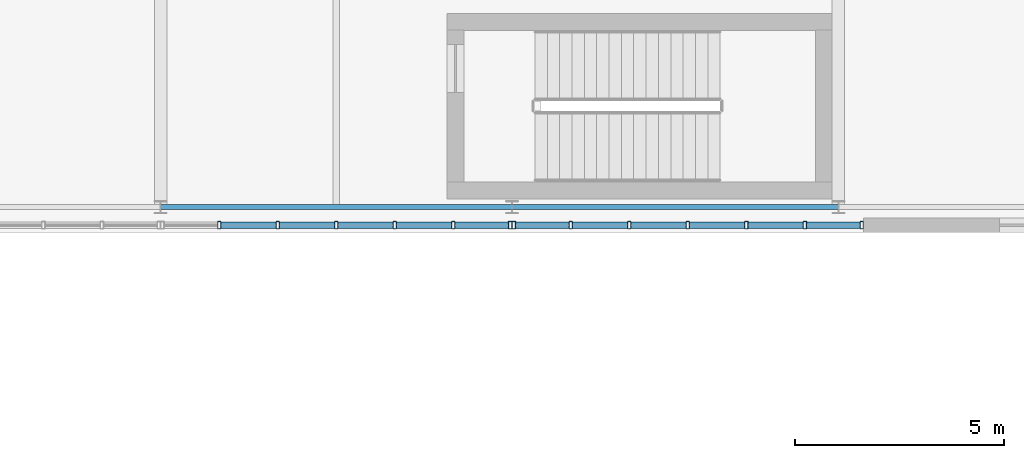
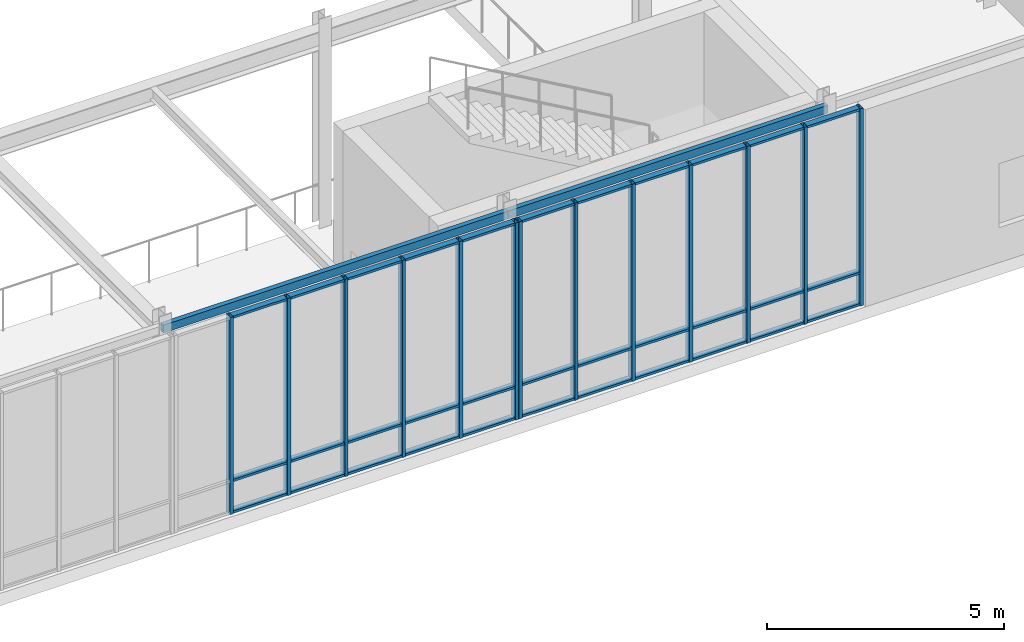
# One storey, part 85 of 139: 46 members, 2 beams, 2 elements without a shape of their own.
"""IFC4 building model written with IfcOpenShell, lengths in metres."""

from ifc_helpers import new_model, si_unit, direction, frame, origin, origin_2d, place, context, subcontext, project, spatial, hollow_rectangle, extrude, material, layer, layer_set, material_profile, profile_set, type_object, element, aggregate, save


model = new_model("IFC4")

# Units and contexts
model_context = context("Model", 3, precision=1e-05, world=origin(), true_north=direction((0.0, 1.0)))
body_context = subcontext(model_context, "Body", "Model", "MODEL_VIEW")
ifc_project = project(units=[si_unit("LENGTHUNIT", "METRE"), si_unit("AREAUNIT", "SQUARE_METRE"), si_unit("VOLUMEUNIT", "CUBIC_METRE"), si_unit("PLANEANGLEUNIT", "RADIAN"), si_unit("MASSUNIT", "GRAM", prefix="KILO")], contexts=[model_context])

# Site, building, storey
site_placement = place(None, origin())
site = spatial("IfcSite", under=ifc_project, at=site_placement, CompositionType="ELEMENT")
building_placement = place(site_placement, origin())
building = spatial("IfcBuilding", under=site, at=building_placement, Name="Zayran Congress Hotel", CompositionType="ELEMENT")
storey_placement = place(building_placement, frame((0.0, 0.0, 5.39990234375)))
storey = spatial("IfcBuildingStorey", under=building, at=storey_placement, Name="L01", CompositionType="ELEMENT", Elevation=5.39990234375)

# Beams
ifc_material_1 = material(Name="Steel S355", Category="steel")
ifc_material_profile_1 = material_profile(ifc_material_1, hollow_rectangle(XDim=0.1201171875, YDim=0.199951171875, WallThickness=0.008056640625, at=origin_2d()), Name="RHS 200x120x8")
ifc_profile_set_1 = profile_set([ifc_material_profile_1], Name="Steel S355")
beam_type = type_object("IfcBeamType", Name="TP-SP-02", PredefinedType="SPANDREL", material=ifc_profile_set_1)
beam_1_placement = place(storey_placement, frame((168.0, 85.0, 4.97998046875), z_axis=(1.0, 0.0, 0.0), x_axis=(0.0, 1.0, 0.0)))
element("IfcBeam", 1, at=beam_1_placement, inside=storey, type_object=beam_type, Name="BM-V2-L01-0956", PredefinedType="SPANDREL", context=body_context, shape_type="SweptSolid", body=[
    extrude(hollow_rectangle(XDim=0.1201171875, YDim=0.199951171875, WallThickness=0.008056640625, at=origin_2d()), origin(), (0.0, 0.0, 1.0), 8.39990234375),
])
beam_2_placement = place(storey_placement, frame((176.39990234375, 85.0, 4.97998046875), z_axis=(1.0, 0.0, 0.0), x_axis=(0.0, 1.0, 0.0)))
element("IfcBeam", 2, at=beam_2_placement, inside=storey, type_object=beam_type, Name="BM-V2-L01-0957", PredefinedType="SPANDREL", context=body_context, shape_type="SweptSolid", body=[
    extrude(hollow_rectangle(XDim=0.1201171875, YDim=0.199951171875, WallThickness=0.008056640625, at=origin_2d()), origin(), (0.0, 0.0, 1.0), 7.800048828125),
])

# Curtain wall, members
ifc_material_2 = material(Name="Anodised aluminium and low-E insulated glass", Category="aluminium")
ifc_layer_1 = layer(ifc_material_2, 0.179931640625)
ifc_layer_set_1 = layer_set([ifc_layer_1], Name="Anodised aluminium and low-E insulated glass")
curtain_wall_type_1 = type_object("IfcCurtainWallType", Name="CW-V2S-L01-CW-V22-8390-5080", PredefinedType="USERDEFINED", material=ifc_layer_set_1)
curtain_wall_1_placement = place(storey_placement, origin())
curtain_wall_1 = element("IfcCurtainWall", 3, at=curtain_wall_1_placement, inside=storey, type_object=curtain_wall_type_1, Name="CW-V2S-L01-3", ObjectType="CURTAIN WALL", PredefinedType="USERDEFINED")
ifc_material_3 = material(Name="Anodised aluminium framing", Category="aluminium")
ifc_material_profile_2 = material_profile(ifc_material_3, hollow_rectangle(XDim=0.080078125, YDim=0.179931640625, WallThickness=0.0048828125, at=origin_2d()), Name="RHS 180x80x5")
ifc_profile_set_2 = profile_set([ifc_material_profile_2], Name="Anodised aluminium framing")
member_type_1 = type_object("IfcMemberType", Name="TP-CWM-01", PredefinedType="MULLION", material=ifc_profile_set_2)
member_1_placement = place(storey_placement, frame((169.4033203125, 84.570068359375, 0.0), z_axis=(0.0, 0.0, 1.0), x_axis=(1.0, 0.0, 0.0)))
member_1 = element("IfcMember", 4, at=member_1_placement, type_object=member_type_1, Name="CW-V2S-L01-3-M01", PredefinedType="MULLION", context=body_context, shape_type="SweptSolid", body=[
    extrude(hollow_rectangle(XDim=0.080078125, YDim=0.179931640625, WallThickness=0.0048828125, at=origin_2d()), origin(), (0.0, 0.0, 1.0), 5.080078125),
])
member_2_placement = place(storey_placement, frame((170.8017578125, 84.570068359375, 0.0), z_axis=(0.0, 0.0, 1.0), x_axis=(1.0, 0.0, 0.0)))
member_2 = element("IfcMember", 5, at=member_2_placement, type_object=member_type_1, Name="CW-V2S-L01-3-M02", PredefinedType="MULLION", context=body_context, shape_type="SweptSolid", body=[
    extrude(hollow_rectangle(XDim=0.080078125, YDim=0.179931640625, WallThickness=0.0048828125, at=origin_2d()), origin(), (0.0, 0.0, 1.0), 5.080078125),
])
member_3_placement = place(storey_placement, frame((172.199951171875, 84.570068359375, 0.0), z_axis=(0.0, 0.0, 1.0), x_axis=(1.0, 0.0, 0.0)))
member_3 = element("IfcMember", 6, at=member_3_placement, type_object=member_type_1, Name="CW-V2S-L01-3-M03", PredefinedType="MULLION", context=body_context, shape_type="SweptSolid", body=[
    extrude(hollow_rectangle(XDim=0.080078125, YDim=0.179931640625, WallThickness=0.0048828125, at=origin_2d()), origin(), (0.0, 0.0, 1.0), 5.080078125),
])
member_4_placement = place(storey_placement, frame((173.598388671875, 84.570068359375, 0.0), z_axis=(0.0, 0.0, 1.0), x_axis=(1.0, 0.0, 0.0)))
member_4 = element("IfcMember", 7, at=member_4_placement, type_object=member_type_1, Name="CW-V2S-L01-3-M04", PredefinedType="MULLION", context=body_context, shape_type="SweptSolid", body=[
    extrude(hollow_rectangle(XDim=0.080078125, YDim=0.179931640625, WallThickness=0.0048828125, at=origin_2d()), origin(), (0.0, 0.0, 1.0), 5.080078125),
])
member_5_placement = place(storey_placement, frame((174.99658203125, 84.570068359375, 0.0), z_axis=(0.0, 0.0, 1.0), x_axis=(1.0, 0.0, 0.0)))
member_5 = element("IfcMember", 8, at=member_5_placement, type_object=member_type_1, Name="CW-V2S-L01-3-M05", PredefinedType="MULLION", context=body_context, shape_type="SweptSolid", body=[
    extrude(hollow_rectangle(XDim=0.080078125, YDim=0.179931640625, WallThickness=0.0048828125, at=origin_2d()), origin(), (0.0, 0.0, 1.0), 5.080078125),
])
member_6_placement = place(storey_placement, frame((176.35498046875, 84.570068359375, 0.0), z_axis=(0.0, 0.0, 1.0), x_axis=(1.0, 0.0, 0.0)))
member_6 = element("IfcMember", 9, at=member_6_placement, type_object=member_type_1, Name="CW-V2S-L01-3-M06", PredefinedType="MULLION", context=body_context, shape_type="SweptSolid", body=[
    extrude(hollow_rectangle(XDim=0.080078125, YDim=0.179931640625, WallThickness=0.0048828125, at=origin_2d()), origin(), (0.0, 0.0, 1.0), 5.080078125),
])

ifc_layer_2 = layer(ifc_material_2, 0.179931640625)
ifc_layer_set_2 = layer_set([ifc_layer_2], Name="Anodised aluminium and low-E insulated glass")
curtain_wall_type_2 = type_object("IfcCurtainWallType", Name="CW-V2S-L01-CW-V21-8395-5080", PredefinedType="USERDEFINED", material=ifc_layer_set_2)
curtain_wall_2_placement = place(storey_placement, origin())
curtain_wall_2 = element("IfcCurtainWall", 10, at=curtain_wall_2_placement, inside=storey, type_object=curtain_wall_type_2, Name="CW-V2S-L01-4", ObjectType="CURTAIN WALL", PredefinedType="USERDEFINED")
member_7_placement = place(storey_placement, frame((176.445068359375, 84.570068359375, 0.0), z_axis=(0.0, 0.0, 1.0), x_axis=(1.0, 0.0, 0.0)))
member_7 = element("IfcMember", 11, at=member_7_placement, type_object=member_type_1, Name="CW-V2S-L01-4-M00", PredefinedType="MULLION", context=body_context, shape_type="SweptSolid", body=[
    extrude(hollow_rectangle(XDim=0.080078125, YDim=0.179931640625, WallThickness=0.0048828125, at=origin_2d()), origin(), (0.0, 0.0, 1.0), 5.080078125),
])
member_8_placement = place(storey_placement, frame((177.80419921875, 84.570068359375, 0.0), z_axis=(0.0, 0.0, 1.0), x_axis=(1.0, 0.0, 0.0)))
member_8 = element("IfcMember", 12, at=member_8_placement, type_object=member_type_1, Name="CW-V2S-L01-4-M01", PredefinedType="MULLION", context=body_context, shape_type="SweptSolid", body=[
    extrude(hollow_rectangle(XDim=0.080078125, YDim=0.179931640625, WallThickness=0.0048828125, at=origin_2d()), origin(), (0.0, 0.0, 1.0), 5.080078125),
])
member_9_placement = place(storey_placement, frame((179.203369140625, 84.570068359375, 0.0), z_axis=(0.0, 0.0, 1.0), x_axis=(1.0, 0.0, 0.0)))
member_9 = element("IfcMember", 13, at=member_9_placement, type_object=member_type_1, Name="CW-V2S-L01-4-M02", PredefinedType="MULLION", context=body_context, shape_type="SweptSolid", body=[
    extrude(hollow_rectangle(XDim=0.080078125, YDim=0.179931640625, WallThickness=0.0048828125, at=origin_2d()), origin(), (0.0, 0.0, 1.0), 5.080078125),
])
member_10_placement = place(storey_placement, frame((180.6025390625, 84.570068359375, 0.0), z_axis=(0.0, 0.0, 1.0), x_axis=(1.0, 0.0, 0.0)))
member_10 = element("IfcMember", 14, at=member_10_placement, type_object=member_type_1, Name="CW-V2S-L01-4-M03", PredefinedType="MULLION", context=body_context, shape_type="SweptSolid", body=[
    extrude(hollow_rectangle(XDim=0.080078125, YDim=0.179931640625, WallThickness=0.0048828125, at=origin_2d()), origin(), (0.0, 0.0, 1.0), 5.080078125),
])
member_11_placement = place(storey_placement, frame((182.001708984375, 84.570068359375, 0.0), z_axis=(0.0, 0.0, 1.0), x_axis=(1.0, 0.0, 0.0)))
member_11 = element("IfcMember", 15, at=member_11_placement, type_object=member_type_1, Name="CW-V2S-L01-4-M04", PredefinedType="MULLION", context=body_context, shape_type="SweptSolid", body=[
    extrude(hollow_rectangle(XDim=0.080078125, YDim=0.179931640625, WallThickness=0.0048828125, at=origin_2d()), origin(), (0.0, 0.0, 1.0), 5.080078125),
])
member_12_placement = place(storey_placement, frame((183.40087890625, 84.570068359375, 0.0), z_axis=(0.0, 0.0, 1.0), x_axis=(1.0, 0.0, 0.0)))
member_12 = element("IfcMember", 16, at=member_12_placement, type_object=member_type_1, Name="CW-V2S-L01-4-M05", PredefinedType="MULLION", context=body_context, shape_type="SweptSolid", body=[
    extrude(hollow_rectangle(XDim=0.080078125, YDim=0.179931640625, WallThickness=0.0048828125, at=origin_2d()), origin(), (0.0, 0.0, 1.0), 5.080078125),
])
member_13_placement = place(storey_placement, frame((184.760009765625, 84.570068359375, 0.0), z_axis=(0.0, 0.0, 1.0), x_axis=(1.0, 0.0, 0.0)))
member_13 = element("IfcMember", 17, at=member_13_placement, type_object=member_type_1, Name="CW-V2S-L01-4-M06", PredefinedType="MULLION", context=body_context, shape_type="SweptSolid", body=[
    extrude(hollow_rectangle(XDim=0.080078125, YDim=0.179931640625, WallThickness=0.0048828125, at=origin_2d()), origin(), (0.0, 0.0, 1.0), 5.080078125),
])

# Member
ifc_material_profile_3 = material_profile(ifc_material_3, hollow_rectangle(XDim=0.06005859375, YDim=0.14990234375, WallThickness=0.00390625, at=origin_2d()), Name="RHS 150x60x4")
ifc_profile_set_3 = profile_set([ifc_material_profile_3], Name="Anodised aluminium framing")
member_type_2 = type_object("IfcMemberType", Name="TP-CWT-01", PredefinedType="USERDEFINED", material=ifc_profile_set_3)
member_14_placement = place(storey_placement, frame((169.443359375, 84.570068359375, 0.030029296875), z_axis=(1.0, 0.0, 0.0), x_axis=(0.0, 0.0, 1.0)))
member_14 = element("IfcMember", 18, at=member_14_placement, type_object=member_type_2, Name="CW-V2S-L01-3-T01-0", ObjectType="TRANSOM", PredefinedType="USERDEFINED", context=body_context, shape_type="SweptSolid", body=[
    extrude(hollow_rectangle(XDim=0.06005859375, YDim=0.14990234375, WallThickness=0.00390625, at=origin_2d()), origin(), (0.0, 0.0, 1.0), 1.318359375),
])

member_15_placement = place(storey_placement, frame((169.443359375, 84.570068359375, 0.840087890625), z_axis=(1.0, 0.0, 0.0), x_axis=(0.0, 0.0, 1.0)))
member_15 = element("IfcMember", 19, at=member_15_placement, type_object=member_type_2, Name="CW-V2S-L01-3-T01-1", ObjectType="TRANSOM", PredefinedType="USERDEFINED", context=body_context, shape_type="SweptSolid", body=[
    extrude(hollow_rectangle(XDim=0.06005859375, YDim=0.14990234375, WallThickness=0.00390625, at=origin_2d()), origin(), (0.0, 0.0, 1.0), 1.318359375),
])

member_16_placement = place(storey_placement, frame((169.443359375, 84.570068359375, 5.050048828125), z_axis=(1.0, 0.0, 0.0), x_axis=(0.0, 0.0, 1.0)))
member_16 = element("IfcMember", 20, at=member_16_placement, type_object=member_type_2, Name="CW-V2S-L01-3-T01-2", ObjectType="TRANSOM", PredefinedType="USERDEFINED", context=body_context, shape_type="SweptSolid", body=[
    extrude(hollow_rectangle(XDim=0.06005859375, YDim=0.14990234375, WallThickness=0.00390625, at=origin_2d()), origin(), (0.0, 0.0, 1.0), 1.318359375),
])

member_17_placement = place(storey_placement, frame((170.841796875, 84.570068359375, 0.030029296875), z_axis=(1.0, 0.0, 0.0), x_axis=(0.0, 0.0, 1.0)))
member_17 = element("IfcMember", 21, at=member_17_placement, type_object=member_type_2, Name="CW-V2S-L01-3-T02-0", ObjectType="TRANSOM", PredefinedType="USERDEFINED", context=body_context, shape_type="SweptSolid", body=[
    extrude(hollow_rectangle(XDim=0.06005859375, YDim=0.14990234375, WallThickness=0.00390625, at=origin_2d()), origin(), (0.0, 0.0, 1.0), 1.318115234375),
])

member_18_placement = place(storey_placement, frame((170.841796875, 84.570068359375, 0.840087890625), z_axis=(1.0, 0.0, 0.0), x_axis=(0.0, 0.0, 1.0)))
member_18 = element("IfcMember", 22, at=member_18_placement, type_object=member_type_2, Name="CW-V2S-L01-3-T02-1", ObjectType="TRANSOM", PredefinedType="USERDEFINED", context=body_context, shape_type="SweptSolid", body=[
    extrude(hollow_rectangle(XDim=0.06005859375, YDim=0.14990234375, WallThickness=0.00390625, at=origin_2d()), origin(), (0.0, 0.0, 1.0), 1.318115234375),
])

member_19_placement = place(storey_placement, frame((170.841796875, 84.570068359375, 5.050048828125), z_axis=(1.0, 0.0, 0.0), x_axis=(0.0, 0.0, 1.0)))
member_19 = element("IfcMember", 23, at=member_19_placement, type_object=member_type_2, Name="CW-V2S-L01-3-T02-2", ObjectType="TRANSOM", PredefinedType="USERDEFINED", context=body_context, shape_type="SweptSolid", body=[
    extrude(hollow_rectangle(XDim=0.06005859375, YDim=0.14990234375, WallThickness=0.00390625, at=origin_2d()), origin(), (0.0, 0.0, 1.0), 1.318115234375),
])

member_20_placement = place(storey_placement, frame((172.239990234375, 84.570068359375, 0.030029296875), z_axis=(1.0, 0.0, 0.0), x_axis=(0.0, 0.0, 1.0)))
member_20 = element("IfcMember", 24, at=member_20_placement, type_object=member_type_2, Name="CW-V2S-L01-3-T03-0", ObjectType="TRANSOM", PredefinedType="USERDEFINED", context=body_context, shape_type="SweptSolid", body=[
    extrude(hollow_rectangle(XDim=0.06005859375, YDim=0.14990234375, WallThickness=0.00390625, at=origin_2d()), origin(), (0.0, 0.0, 1.0), 1.318359375),
])

member_21_placement = place(storey_placement, frame((172.239990234375, 84.570068359375, 0.840087890625), z_axis=(1.0, 0.0, 0.0), x_axis=(0.0, 0.0, 1.0)))
member_21 = element("IfcMember", 25, at=member_21_placement, type_object=member_type_2, Name="CW-V2S-L01-3-T03-1", ObjectType="TRANSOM", PredefinedType="USERDEFINED", context=body_context, shape_type="SweptSolid", body=[
    extrude(hollow_rectangle(XDim=0.06005859375, YDim=0.14990234375, WallThickness=0.00390625, at=origin_2d()), origin(), (0.0, 0.0, 1.0), 1.318359375),
])

member_22_placement = place(storey_placement, frame((172.239990234375, 84.570068359375, 5.050048828125), z_axis=(1.0, 0.0, 0.0), x_axis=(0.0, 0.0, 1.0)))
member_22 = element("IfcMember", 26, at=member_22_placement, type_object=member_type_2, Name="CW-V2S-L01-3-T03-2", ObjectType="TRANSOM", PredefinedType="USERDEFINED", context=body_context, shape_type="SweptSolid", body=[
    extrude(hollow_rectangle(XDim=0.06005859375, YDim=0.14990234375, WallThickness=0.00390625, at=origin_2d()), origin(), (0.0, 0.0, 1.0), 1.318359375),
])

member_23_placement = place(storey_placement, frame((173.63818359375, 84.570068359375, 0.030029296875), z_axis=(1.0, 0.0, 0.0), x_axis=(0.0, 0.0, 1.0)))
member_23 = element("IfcMember", 27, at=member_23_placement, type_object=member_type_2, Name="CW-V2S-L01-3-T04-0", ObjectType="TRANSOM", PredefinedType="USERDEFINED", context=body_context, shape_type="SweptSolid", body=[
    extrude(hollow_rectangle(XDim=0.06005859375, YDim=0.14990234375, WallThickness=0.00390625, at=origin_2d()), origin(), (0.0, 0.0, 1.0), 1.318603515625),
])

member_24_placement = place(storey_placement, frame((173.63818359375, 84.570068359375, 0.840087890625), z_axis=(1.0, 0.0, 0.0), x_axis=(0.0, 0.0, 1.0)))
member_24 = element("IfcMember", 28, at=member_24_placement, type_object=member_type_2, Name="CW-V2S-L01-3-T04-1", ObjectType="TRANSOM", PredefinedType="USERDEFINED", context=body_context, shape_type="SweptSolid", body=[
    extrude(hollow_rectangle(XDim=0.06005859375, YDim=0.14990234375, WallThickness=0.00390625, at=origin_2d()), origin(), (0.0, 0.0, 1.0), 1.318603515625),
])

member_25_placement = place(storey_placement, frame((173.63818359375, 84.570068359375, 5.050048828125), z_axis=(1.0, 0.0, 0.0), x_axis=(0.0, 0.0, 1.0)))
member_25 = element("IfcMember", 29, at=member_25_placement, type_object=member_type_2, Name="CW-V2S-L01-3-T04-2", ObjectType="TRANSOM", PredefinedType="USERDEFINED", context=body_context, shape_type="SweptSolid", body=[
    extrude(hollow_rectangle(XDim=0.06005859375, YDim=0.14990234375, WallThickness=0.00390625, at=origin_2d()), origin(), (0.0, 0.0, 1.0), 1.318603515625),
])

member_26_placement = place(storey_placement, frame((175.03662109375, 84.570068359375, 0.030029296875), z_axis=(1.0, 0.0, 0.0), x_axis=(0.0, 0.0, 1.0)))
member_26 = element("IfcMember", 30, at=member_26_placement, type_object=member_type_2, Name="CW-V2S-L01-3-T05-0", ObjectType="TRANSOM", PredefinedType="USERDEFINED", context=body_context, shape_type="SweptSolid", body=[
    extrude(hollow_rectangle(XDim=0.06005859375, YDim=0.14990234375, WallThickness=0.00390625, at=origin_2d()), origin(), (0.0, 0.0, 1.0), 1.2783203125),
])

member_27_placement = place(storey_placement, frame((175.03662109375, 84.570068359375, 0.840087890625), z_axis=(1.0, 0.0, 0.0), x_axis=(0.0, 0.0, 1.0)))
member_27 = element("IfcMember", 31, at=member_27_placement, type_object=member_type_2, Name="CW-V2S-L01-3-T05-1", ObjectType="TRANSOM", PredefinedType="USERDEFINED", context=body_context, shape_type="SweptSolid", body=[
    extrude(hollow_rectangle(XDim=0.06005859375, YDim=0.14990234375, WallThickness=0.00390625, at=origin_2d()), origin(), (0.0, 0.0, 1.0), 1.2783203125),
])

member_28_placement = place(storey_placement, frame((175.03662109375, 84.570068359375, 5.050048828125), z_axis=(1.0, 0.0, 0.0), x_axis=(0.0, 0.0, 1.0)))
member_28 = element("IfcMember", 32, at=member_28_placement, type_object=member_type_2, Name="CW-V2S-L01-3-T05-2", ObjectType="TRANSOM", PredefinedType="USERDEFINED", context=body_context, shape_type="SweptSolid", body=[
    extrude(hollow_rectangle(XDim=0.06005859375, YDim=0.14990234375, WallThickness=0.00390625, at=origin_2d()), origin(), (0.0, 0.0, 1.0), 1.2783203125),
])

aggregate(curtain_wall_1, [member_1, member_2, member_3, member_4, member_5, member_6, member_14, member_15, member_16, member_17, member_18, member_19, member_20, member_21, member_22, member_23, member_24, member_25, member_26, member_27, member_28])

member_29_placement = place(storey_placement, frame((176.485107421875, 84.570068359375, 0.030029296875), z_axis=(1.0, 0.0, 0.0), x_axis=(0.0, 0.0, 1.0)))
member_29 = element("IfcMember", 33, at=member_29_placement, type_object=member_type_2, Name="CW-V2S-L01-4-T00-0", ObjectType="TRANSOM", PredefinedType="USERDEFINED", context=body_context, shape_type="SweptSolid", body=[
    extrude(hollow_rectangle(XDim=0.06005859375, YDim=0.14990234375, WallThickness=0.00390625, at=origin_2d()), origin(), (0.0, 0.0, 1.0), 1.279052734375),
])

member_30_placement = place(storey_placement, frame((176.485107421875, 84.570068359375, 0.840087890625), z_axis=(1.0, 0.0, 0.0), x_axis=(0.0, 0.0, 1.0)))
member_30 = element("IfcMember", 34, at=member_30_placement, type_object=member_type_2, Name="CW-V2S-L01-4-T00-1", ObjectType="TRANSOM", PredefinedType="USERDEFINED", context=body_context, shape_type="SweptSolid", body=[
    extrude(hollow_rectangle(XDim=0.06005859375, YDim=0.14990234375, WallThickness=0.00390625, at=origin_2d()), origin(), (0.0, 0.0, 1.0), 1.279052734375),
])

member_31_placement = place(storey_placement, frame((176.485107421875, 84.570068359375, 5.050048828125), z_axis=(1.0, 0.0, 0.0), x_axis=(0.0, 0.0, 1.0)))
member_31 = element("IfcMember", 35, at=member_31_placement, type_object=member_type_2, Name="CW-V2S-L01-4-T00-2", ObjectType="TRANSOM", PredefinedType="USERDEFINED", context=body_context, shape_type="SweptSolid", body=[
    extrude(hollow_rectangle(XDim=0.06005859375, YDim=0.14990234375, WallThickness=0.00390625, at=origin_2d()), origin(), (0.0, 0.0, 1.0), 1.279052734375),
])

member_32_placement = place(storey_placement, frame((177.84423828125, 84.570068359375, 0.030029296875), z_axis=(1.0, 0.0, 0.0), x_axis=(0.0, 0.0, 1.0)))
member_32 = element("IfcMember", 36, at=member_32_placement, type_object=member_type_2, Name="CW-V2S-L01-4-T01-0", ObjectType="TRANSOM", PredefinedType="USERDEFINED", context=body_context, shape_type="SweptSolid", body=[
    extrude(hollow_rectangle(XDim=0.06005859375, YDim=0.14990234375, WallThickness=0.00390625, at=origin_2d()), origin(), (0.0, 0.0, 1.0), 1.319091796875),
])

member_33_placement = place(storey_placement, frame((177.84423828125, 84.570068359375, 0.840087890625), z_axis=(1.0, 0.0, 0.0), x_axis=(0.0, 0.0, 1.0)))
member_33 = element("IfcMember", 37, at=member_33_placement, type_object=member_type_2, Name="CW-V2S-L01-4-T01-1", ObjectType="TRANSOM", PredefinedType="USERDEFINED", context=body_context, shape_type="SweptSolid", body=[
    extrude(hollow_rectangle(XDim=0.06005859375, YDim=0.14990234375, WallThickness=0.00390625, at=origin_2d()), origin(), (0.0, 0.0, 1.0), 1.319091796875),
])

member_34_placement = place(storey_placement, frame((177.84423828125, 84.570068359375, 5.050048828125), z_axis=(1.0, 0.0, 0.0), x_axis=(0.0, 0.0, 1.0)))
member_34 = element("IfcMember", 38, at=member_34_placement, type_object=member_type_2, Name="CW-V2S-L01-4-T01-2", ObjectType="TRANSOM", PredefinedType="USERDEFINED", context=body_context, shape_type="SweptSolid", body=[
    extrude(hollow_rectangle(XDim=0.06005859375, YDim=0.14990234375, WallThickness=0.00390625, at=origin_2d()), origin(), (0.0, 0.0, 1.0), 1.319091796875),
])

member_35_placement = place(storey_placement, frame((179.243408203125, 84.570068359375, 0.030029296875), z_axis=(1.0, 0.0, 0.0), x_axis=(0.0, 0.0, 1.0)))
member_35 = element("IfcMember", 39, at=member_35_placement, type_object=member_type_2, Name="CW-V2S-L01-4-T02-0", ObjectType="TRANSOM", PredefinedType="USERDEFINED", context=body_context, shape_type="SweptSolid", body=[
    extrude(hollow_rectangle(XDim=0.06005859375, YDim=0.14990234375, WallThickness=0.00390625, at=origin_2d()), origin(), (0.0, 0.0, 1.0), 1.319091796875),
])

member_36_placement = place(storey_placement, frame((179.243408203125, 84.570068359375, 0.840087890625), z_axis=(1.0, 0.0, 0.0), x_axis=(0.0, 0.0, 1.0)))
member_36 = element("IfcMember", 40, at=member_36_placement, type_object=member_type_2, Name="CW-V2S-L01-4-T02-1", ObjectType="TRANSOM", PredefinedType="USERDEFINED", context=body_context, shape_type="SweptSolid", body=[
    extrude(hollow_rectangle(XDim=0.06005859375, YDim=0.14990234375, WallThickness=0.00390625, at=origin_2d()), origin(), (0.0, 0.0, 1.0), 1.319091796875),
])

member_37_placement = place(storey_placement, frame((179.243408203125, 84.570068359375, 5.050048828125), z_axis=(1.0, 0.0, 0.0), x_axis=(0.0, 0.0, 1.0)))
member_37 = element("IfcMember", 41, at=member_37_placement, type_object=member_type_2, Name="CW-V2S-L01-4-T02-2", ObjectType="TRANSOM", PredefinedType="USERDEFINED", context=body_context, shape_type="SweptSolid", body=[
    extrude(hollow_rectangle(XDim=0.06005859375, YDim=0.14990234375, WallThickness=0.00390625, at=origin_2d()), origin(), (0.0, 0.0, 1.0), 1.319091796875),
])

member_38_placement = place(storey_placement, frame((180.642578125, 84.570068359375, 0.030029296875), z_axis=(1.0, 0.0, 0.0), x_axis=(0.0, 0.0, 1.0)))
member_38 = element("IfcMember", 42, at=member_38_placement, type_object=member_type_2, Name="CW-V2S-L01-4-T03-0", ObjectType="TRANSOM", PredefinedType="USERDEFINED", context=body_context, shape_type="SweptSolid", body=[
    extrude(hollow_rectangle(XDim=0.06005859375, YDim=0.14990234375, WallThickness=0.00390625, at=origin_2d()), origin(), (0.0, 0.0, 1.0), 1.319091796875),
])

member_39_placement = place(storey_placement, frame((180.642578125, 84.570068359375, 0.840087890625), z_axis=(1.0, 0.0, 0.0), x_axis=(0.0, 0.0, 1.0)))
member_39 = element("IfcMember", 43, at=member_39_placement, type_object=member_type_2, Name="CW-V2S-L01-4-T03-1", ObjectType="TRANSOM", PredefinedType="USERDEFINED", context=body_context, shape_type="SweptSolid", body=[
    extrude(hollow_rectangle(XDim=0.06005859375, YDim=0.14990234375, WallThickness=0.00390625, at=origin_2d()), origin(), (0.0, 0.0, 1.0), 1.319091796875),
])

member_40_placement = place(storey_placement, frame((180.642578125, 84.570068359375, 5.050048828125), z_axis=(1.0, 0.0, 0.0), x_axis=(0.0, 0.0, 1.0)))
member_40 = element("IfcMember", 44, at=member_40_placement, type_object=member_type_2, Name="CW-V2S-L01-4-T03-2", ObjectType="TRANSOM", PredefinedType="USERDEFINED", context=body_context, shape_type="SweptSolid", body=[
    extrude(hollow_rectangle(XDim=0.06005859375, YDim=0.14990234375, WallThickness=0.00390625, at=origin_2d()), origin(), (0.0, 0.0, 1.0), 1.319091796875),
])

member_41_placement = place(storey_placement, frame((182.041748046875, 84.570068359375, 0.030029296875), z_axis=(1.0, 0.0, 0.0), x_axis=(0.0, 0.0, 1.0)))
member_41 = element("IfcMember", 45, at=member_41_placement, type_object=member_type_2, Name="CW-V2S-L01-4-T04-0", ObjectType="TRANSOM", PredefinedType="USERDEFINED", context=body_context, shape_type="SweptSolid", body=[
    extrude(hollow_rectangle(XDim=0.06005859375, YDim=0.14990234375, WallThickness=0.00390625, at=origin_2d()), origin(), (0.0, 0.0, 1.0), 1.319091796875),
])

member_42_placement = place(storey_placement, frame((182.041748046875, 84.570068359375, 0.840087890625), z_axis=(1.0, 0.0, 0.0), x_axis=(0.0, 0.0, 1.0)))
member_42 = element("IfcMember", 46, at=member_42_placement, type_object=member_type_2, Name="CW-V2S-L01-4-T04-1", ObjectType="TRANSOM", PredefinedType="USERDEFINED", context=body_context, shape_type="SweptSolid", body=[
    extrude(hollow_rectangle(XDim=0.06005859375, YDim=0.14990234375, WallThickness=0.00390625, at=origin_2d()), origin(), (0.0, 0.0, 1.0), 1.319091796875),
])

member_43_placement = place(storey_placement, frame((182.041748046875, 84.570068359375, 5.050048828125), z_axis=(1.0, 0.0, 0.0), x_axis=(0.0, 0.0, 1.0)))
member_43 = element("IfcMember", 47, at=member_43_placement, type_object=member_type_2, Name="CW-V2S-L01-4-T04-2", ObjectType="TRANSOM", PredefinedType="USERDEFINED", context=body_context, shape_type="SweptSolid", body=[
    extrude(hollow_rectangle(XDim=0.06005859375, YDim=0.14990234375, WallThickness=0.00390625, at=origin_2d()), origin(), (0.0, 0.0, 1.0), 1.319091796875),
])

member_44_placement = place(storey_placement, frame((183.44091796875, 84.570068359375, 0.030029296875), z_axis=(1.0, 0.0, 0.0), x_axis=(0.0, 0.0, 1.0)))
member_44 = element("IfcMember", 48, at=member_44_placement, type_object=member_type_2, Name="CW-V2S-L01-4-T05-0", ObjectType="TRANSOM", PredefinedType="USERDEFINED", context=body_context, shape_type="SweptSolid", body=[
    extrude(hollow_rectangle(XDim=0.06005859375, YDim=0.14990234375, WallThickness=0.00390625, at=origin_2d()), origin(), (0.0, 0.0, 1.0), 1.279052734375),
])

member_45_placement = place(storey_placement, frame((183.44091796875, 84.570068359375, 0.840087890625), z_axis=(1.0, 0.0, 0.0), x_axis=(0.0, 0.0, 1.0)))
member_45 = element("IfcMember", 49, at=member_45_placement, type_object=member_type_2, Name="CW-V2S-L01-4-T05-1", ObjectType="TRANSOM", PredefinedType="USERDEFINED", context=body_context, shape_type="SweptSolid", body=[
    extrude(hollow_rectangle(XDim=0.06005859375, YDim=0.14990234375, WallThickness=0.00390625, at=origin_2d()), origin(), (0.0, 0.0, 1.0), 1.279052734375),
])

member_46_placement = place(storey_placement, frame((183.44091796875, 84.570068359375, 5.050048828125), z_axis=(1.0, 0.0, 0.0), x_axis=(0.0, 0.0, 1.0)))
member_46 = element("IfcMember", 50, at=member_46_placement, type_object=member_type_2, Name="CW-V2S-L01-4-T05-2", ObjectType="TRANSOM", PredefinedType="USERDEFINED", context=body_context, shape_type="SweptSolid", body=[
    extrude(hollow_rectangle(XDim=0.06005859375, YDim=0.14990234375, WallThickness=0.00390625, at=origin_2d()), origin(), (0.0, 0.0, 1.0), 1.279052734375),
])

aggregate(curtain_wall_2, [member_7, member_8, member_9, member_10, member_11, member_12, member_13, member_29, member_30, member_31, member_32, member_33, member_34, member_35, member_36, member_37, member_38, member_39, member_40, member_41, member_42, member_43, member_44, member_45, member_46])

save(model, "model.ifc")
